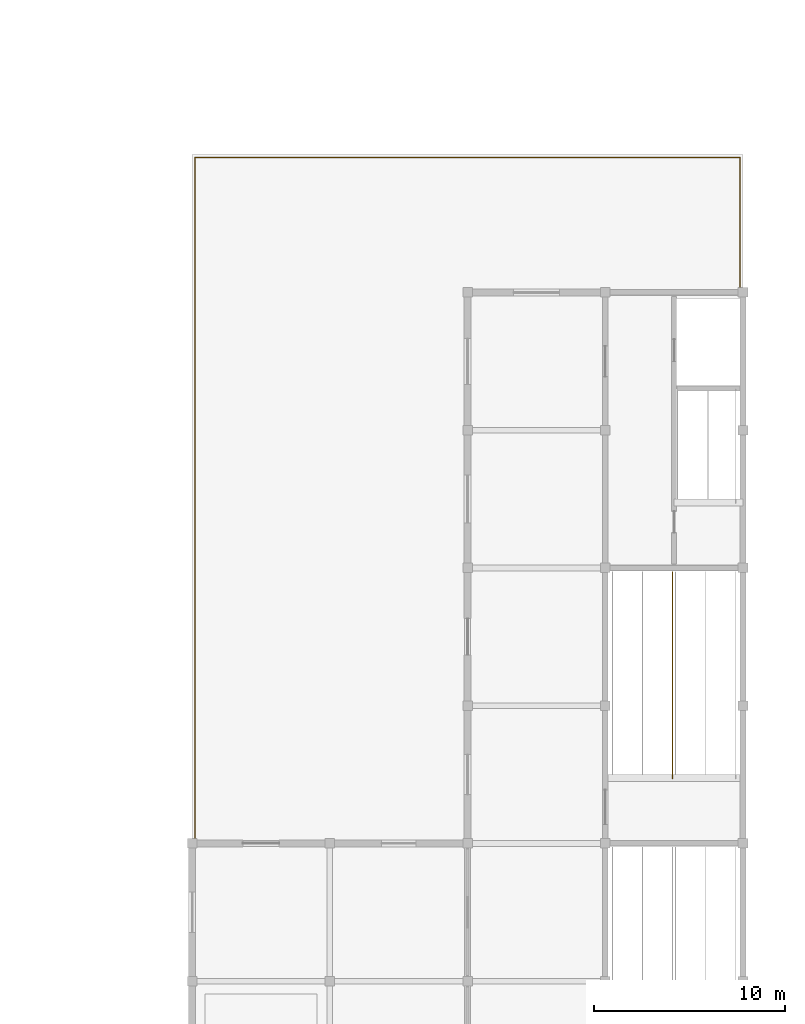
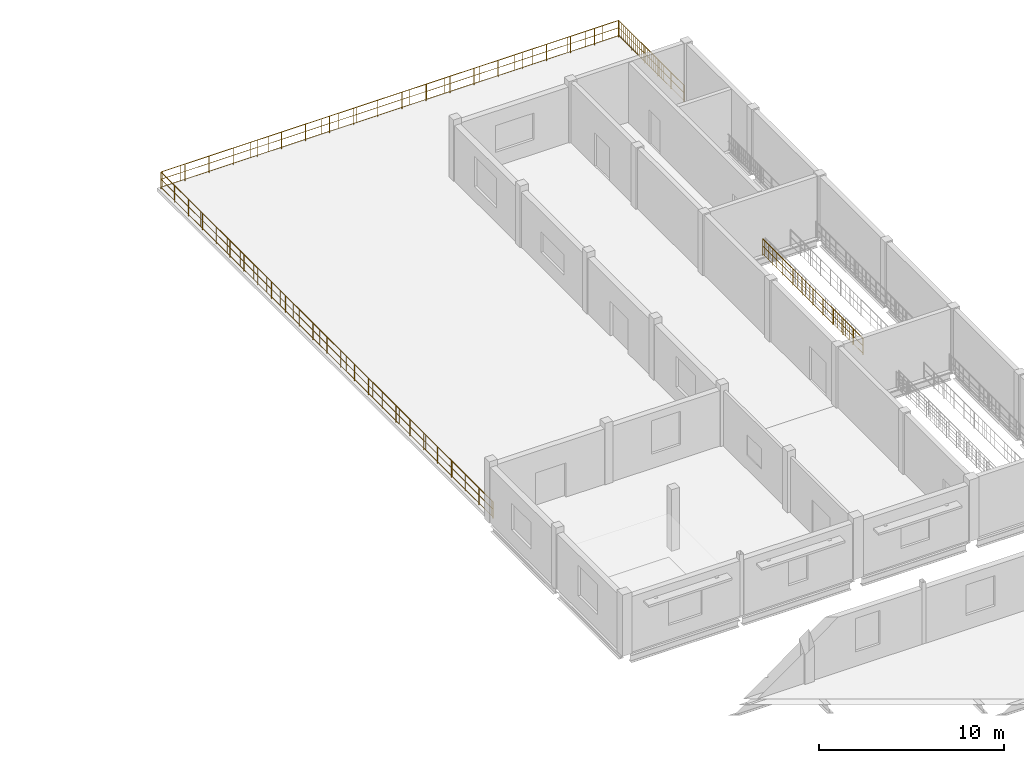
# One storey, part 49 of 51: 2 railings.
"""IFC4 building model written with IfcOpenShell, lengths in metres."""

from ifc_helpers import new_model, si_unit, direction, frame, origin, origin_2d, place, context, subcontext, project, spatial, circle, extrude, material, type_object, element, save


model = new_model("IFC4")

# Units and contexts
model_context = context("Model", 3, precision=1e-05, world=origin(), true_north=direction((0.0, 1.0)))
body_context = subcontext(model_context, "Body", "Model", "MODEL_VIEW")
ifc_project = project(units=[si_unit("LENGTHUNIT", "METRE"), si_unit("AREAUNIT", "SQUARE_METRE"), si_unit("VOLUMEUNIT", "CUBIC_METRE"), si_unit("PLANEANGLEUNIT", "RADIAN"), si_unit("MASSUNIT", "GRAM", prefix="KILO")], contexts=[model_context])

# Site, building, storey
site_placement = place(None, origin())
site = spatial("IfcSite", under=ifc_project, at=site_placement, CompositionType="ELEMENT")
building_placement = place(site_placement, origin())
building = spatial("IfcBuilding", under=site, at=building_placement, Name="Vesperath Aquatics Centre", CompositionType="ELEMENT")
storey_placement = place(building_placement, frame((0.0, 0.0, 15.0)))
storey = spatial("IfcBuildingStorey", under=building, at=storey_placement, Name="L03", CompositionType="ELEMENT", Elevation=15.0)

# Railings
ifc_material_1 = material(Name="Patinated bronze Art Nouveau balustrade", Category="aluminium")
railing_type_1 = type_object("IfcRailingType", Name="RL-BAL01", PredefinedType="BALUSTRADE", material=ifc_material_1)
railing_1_placement = place(storey_placement, frame((144.14990234375, 64.85009765625, 0.0)))
element("IfcRailing", 1, at=railing_1_placement, inside=storey, type_object=railing_type_1, Name="Planted Roof Garden Perimeter Balustrade GR01 L03", PredefinedType="BALUSTRADE", context=body_context, shape_type="SweptSolid", body=[
    extrude(circle(Radius=0.02392578125, at=origin_2d()), frame((0.0, 0.0, 1.09619140625), z_axis=(0.0, 1.0, 0.0), x_axis=(-1.0, 0.0, 0.0)), (0.0, 0.0, 1.0), 35.7998046875),
    extrude(circle(Radius=0.01611328125, at=origin_2d()), frame((0.0, 0.0, 0.10009765625), z_axis=(0.0, 1.0, 0.0), x_axis=(-1.0, 0.0, 0.0)), (0.0, 0.0, 1.0), 35.7998046875),
    extrude(circle(Radius=0.01611328125, at=origin_2d()), frame((0.0, 0.0, 0.615966796875), z_axis=(0.0, 1.0, 0.0), x_axis=(-1.0, 0.0, 0.0)), (0.0, 0.0, 1.0), 35.7998046875),
    extrude(circle(Radius=0.009033203125, at=origin_2d()), frame((0.0, 0.10986328125, 0.10009765625)), (0.0, 0.0, 1.0), 0.971923828125),
    extrude(circle(Radius=0.009033203125, at=origin_2d()), frame((0.0, 1.537353515625, 0.10009765625)), (0.0, 0.0, 1.0), 0.971923828125),
    extrude(circle(Radius=0.009033203125, at=origin_2d()), frame((0.0, 2.965087890625, 0.10009765625)), (0.0, 0.0, 1.0), 0.971923828125),
    extrude(circle(Radius=0.009033203125, at=origin_2d()), frame((0.0, 4.392578125, 0.10009765625)), (0.0, 0.0, 1.0), 0.971923828125),
    extrude(circle(Radius=0.009033203125, at=origin_2d()), frame((0.0, 5.8203125, 0.10009765625)), (0.0, 0.0, 1.0), 0.971923828125),
    extrude(circle(Radius=0.009033203125, at=origin_2d()), frame((0.0, 7.247802734375, 0.10009765625)), (0.0, 0.0, 1.0), 0.971923828125),
    extrude(circle(Radius=0.009033203125, at=origin_2d()), frame((0.0, 8.67529296875, 0.10009765625)), (0.0, 0.0, 1.0), 0.971923828125),
    extrude(circle(Radius=0.009033203125, at=origin_2d()), frame((0.0, 10.10302734375, 0.10009765625)), (0.0, 0.0, 1.0), 0.971923828125),
    extrude(circle(Radius=0.009033203125, at=origin_2d()), frame((0.0, 11.530517578125, 0.10009765625)), (0.0, 0.0, 1.0), 0.971923828125),
    extrude(circle(Radius=0.009033203125, at=origin_2d()), frame((0.0, 12.958251953125, 0.10009765625)), (0.0, 0.0, 1.0), 0.971923828125),
    extrude(circle(Radius=0.009033203125, at=origin_2d()), frame((0.0, 14.3857421875, 0.10009765625)), (0.0, 0.0, 1.0), 0.971923828125),
    extrude(circle(Radius=0.009033203125, at=origin_2d()), frame((0.0, 15.8134765625, 0.10009765625)), (0.0, 0.0, 1.0), 0.971923828125),
    extrude(circle(Radius=0.009033203125, at=origin_2d()), frame((0.0, 17.240966796875, 0.10009765625)), (0.0, 0.0, 1.0), 0.971923828125),
    extrude(circle(Radius=0.009033203125, at=origin_2d()), frame((0.0, 18.668701171875, 0.10009765625)), (0.0, 0.0, 1.0), 0.971923828125),
    extrude(circle(Radius=0.009033203125, at=origin_2d()), frame((0.0, 20.09619140625, 0.10009765625)), (0.0, 0.0, 1.0), 0.971923828125),
    extrude(circle(Radius=0.009033203125, at=origin_2d()), frame((0.0, 21.52392578125, 0.10009765625)), (0.0, 0.0, 1.0), 0.971923828125),
    extrude(circle(Radius=0.009033203125, at=origin_2d()), frame((0.0, 22.951416015625, 0.10009765625)), (0.0, 0.0, 1.0), 0.971923828125),
    extrude(circle(Radius=0.009033203125, at=origin_2d()), frame((0.0, 24.37890625, 0.10009765625)), (0.0, 0.0, 1.0), 0.971923828125),
    extrude(circle(Radius=0.009033203125, at=origin_2d()), frame((0.0, 25.806640625, 0.10009765625)), (0.0, 0.0, 1.0), 0.971923828125),
    extrude(circle(Radius=0.009033203125, at=origin_2d()), frame((0.0, 27.234130859375, 0.10009765625)), (0.0, 0.0, 1.0), 0.971923828125),
    extrude(circle(Radius=0.009033203125, at=origin_2d()), frame((0.0, 28.661865234375, 0.10009765625)), (0.0, 0.0, 1.0), 0.971923828125),
    extrude(circle(Radius=0.009033203125, at=origin_2d()), frame((0.0, 30.08935546875, 0.10009765625)), (0.0, 0.0, 1.0), 0.971923828125),
    extrude(circle(Radius=0.009033203125, at=origin_2d()), frame((0.0, 31.51708984375, 0.10009765625)), (0.0, 0.0, 1.0), 0.971923828125),
    extrude(circle(Radius=0.009033203125, at=origin_2d()), frame((0.0, 32.944580078125, 0.10009765625)), (0.0, 0.0, 1.0), 0.971923828125),
    extrude(circle(Radius=0.009033203125, at=origin_2d()), frame((0.0, 34.372314453125, 0.10009765625)), (0.0, 0.0, 1.0), 0.971923828125),
    extrude(circle(Radius=0.02392578125, at=origin_2d()), frame((0.0, 35.7998046875, 1.09619140625), z_axis=(1.0, 0.0, 0.0), x_axis=(0.0, 1.0, 0.0)), (0.0, 0.0, 1.0), 28.5),
    extrude(circle(Radius=0.01611328125, at=origin_2d()), frame((0.0, 35.7998046875, 0.10009765625), z_axis=(1.0, 0.0, 0.0), x_axis=(0.0, 1.0, 0.0)), (0.0, 0.0, 1.0), 28.5),
    extrude(circle(Radius=0.01611328125, at=origin_2d()), frame((0.0, 35.7998046875, 0.615966796875), z_axis=(1.0, 0.0, 0.0), x_axis=(0.0, 1.0, 0.0)), (0.0, 0.0, 1.0), 28.5),
    extrude(circle(Radius=0.009033203125, at=origin_2d()), frame((0.109619140625, 35.7998046875, 0.10009765625)), (0.0, 0.0, 1.0), 0.971923828125),
    extrude(circle(Radius=0.009033203125, at=origin_2d()), frame((1.205810546875, 35.7998046875, 0.10009765625)), (0.0, 0.0, 1.0), 0.971923828125),
    extrude(circle(Radius=0.009033203125, at=origin_2d()), frame((2.302001953125, 35.7998046875, 0.10009765625)), (0.0, 0.0, 1.0), 0.971923828125),
    extrude(circle(Radius=0.009033203125, at=origin_2d()), frame((3.398193359375, 35.7998046875, 0.10009765625)), (0.0, 0.0, 1.0), 0.971923828125),
    extrude(circle(Radius=0.009033203125, at=origin_2d()), frame((4.494140625, 35.7998046875, 0.10009765625)), (0.0, 0.0, 1.0), 0.971923828125),
    extrude(circle(Radius=0.009033203125, at=origin_2d()), frame((5.59033203125, 35.7998046875, 0.10009765625)), (0.0, 0.0, 1.0), 0.971923828125),
    extrude(circle(Radius=0.009033203125, at=origin_2d()), frame((6.6865234375, 35.7998046875, 0.10009765625)), (0.0, 0.0, 1.0), 0.971923828125),
    extrude(circle(Radius=0.009033203125, at=origin_2d()), frame((7.78271484375, 35.7998046875, 0.10009765625)), (0.0, 0.0, 1.0), 0.971923828125),
    extrude(circle(Radius=0.009033203125, at=origin_2d()), frame((8.87890625, 35.7998046875, 0.10009765625)), (0.0, 0.0, 1.0), 0.971923828125),
    extrude(circle(Radius=0.009033203125, at=origin_2d()), frame((9.97509765625, 35.7998046875, 0.10009765625)), (0.0, 0.0, 1.0), 0.971923828125),
    extrude(circle(Radius=0.009033203125, at=origin_2d()), frame((11.071044921875, 35.7998046875, 0.10009765625)), (0.0, 0.0, 1.0), 0.971923828125),
    extrude(circle(Radius=0.009033203125, at=origin_2d()), frame((12.167236328125, 35.7998046875, 0.10009765625)), (0.0, 0.0, 1.0), 0.971923828125),
    extrude(circle(Radius=0.009033203125, at=origin_2d()), frame((13.263427734375, 35.7998046875, 0.10009765625)), (0.0, 0.0, 1.0), 0.971923828125),
    extrude(circle(Radius=0.009033203125, at=origin_2d()), frame((14.359619140625, 35.7998046875, 0.10009765625)), (0.0, 0.0, 1.0), 0.971923828125),
    extrude(circle(Radius=0.009033203125, at=origin_2d()), frame((15.455810546875, 35.7998046875, 0.10009765625)), (0.0, 0.0, 1.0), 0.971923828125),
    extrude(circle(Radius=0.009033203125, at=origin_2d()), frame((16.552001953125, 35.7998046875, 0.10009765625)), (0.0, 0.0, 1.0), 0.971923828125),
    extrude(circle(Radius=0.009033203125, at=origin_2d()), frame((17.648193359375, 35.7998046875, 0.10009765625)), (0.0, 0.0, 1.0), 0.971923828125),
    extrude(circle(Radius=0.009033203125, at=origin_2d()), frame((18.744140625, 35.7998046875, 0.10009765625)), (0.0, 0.0, 1.0), 0.971923828125),
    extrude(circle(Radius=0.009033203125, at=origin_2d()), frame((19.84033203125, 35.7998046875, 0.10009765625)), (0.0, 0.0, 1.0), 0.971923828125),
    extrude(circle(Radius=0.009033203125, at=origin_2d()), frame((20.9365234375, 35.7998046875, 0.10009765625)), (0.0, 0.0, 1.0), 0.971923828125),
    extrude(circle(Radius=0.009033203125, at=origin_2d()), frame((22.03271484375, 35.7998046875, 0.10009765625)), (0.0, 0.0, 1.0), 0.971923828125),
    extrude(circle(Radius=0.009033203125, at=origin_2d()), frame((23.12890625, 35.7998046875, 0.10009765625)), (0.0, 0.0, 1.0), 0.971923828125),
    extrude(circle(Radius=0.009033203125, at=origin_2d()), frame((24.22509765625, 35.7998046875, 0.10009765625)), (0.0, 0.0, 1.0), 0.971923828125),
    extrude(circle(Radius=0.009033203125, at=origin_2d()), frame((25.321044921875, 35.7998046875, 0.10009765625)), (0.0, 0.0, 1.0), 0.971923828125),
    extrude(circle(Radius=0.009033203125, at=origin_2d()), frame((26.417236328125, 35.7998046875, 0.10009765625)), (0.0, 0.0, 1.0), 0.971923828125),
    extrude(circle(Radius=0.009033203125, at=origin_2d()), frame((27.513427734375, 35.7998046875, 0.10009765625)), (0.0, 0.0, 1.0), 0.971923828125),
    extrude(circle(Radius=0.02392578125, at=origin_2d()), frame((28.5, 35.7998046875, 1.09619140625), z_axis=(0.0, -1.0, 0.0), x_axis=(1.0, 0.0, 0.0)), (0.0, 0.0, 1.0), 7.0498046875),
    extrude(circle(Radius=0.01611328125, at=origin_2d()), frame((28.5, 35.7998046875, 0.10009765625), z_axis=(0.0, -1.0, 0.0), x_axis=(1.0, 0.0, 0.0)), (0.0, 0.0, 1.0), 7.0498046875),
    extrude(circle(Radius=0.01611328125, at=origin_2d()), frame((28.5, 35.7998046875, 0.615966796875), z_axis=(0.0, -1.0, 0.0), x_axis=(1.0, 0.0, 0.0)), (0.0, 0.0, 1.0), 7.0498046875),
    extrude(circle(Radius=0.009033203125, at=origin_2d()), frame((28.5, 35.69140625, 0.10009765625)), (0.0, 0.0, 1.0), 0.971923828125),
    extrude(circle(Radius=0.009033203125, at=origin_2d()), frame((28.5, 35.474365234375, 0.10009765625)), (0.0, 0.0, 1.0), 0.971923828125),
    extrude(circle(Radius=0.009033203125, at=origin_2d()), frame((28.5, 35.257568359375, 0.10009765625)), (0.0, 0.0, 1.0), 0.971923828125),
    extrude(circle(Radius=0.009033203125, at=origin_2d()), frame((28.5, 35.04052734375, 0.10009765625)), (0.0, 0.0, 1.0), 0.971923828125),
    extrude(circle(Radius=0.009033203125, at=origin_2d()), frame((28.5, 34.82373046875, 0.10009765625)), (0.0, 0.0, 1.0), 0.971923828125),
    extrude(circle(Radius=0.009033203125, at=origin_2d()), frame((28.5, 34.606689453125, 0.10009765625)), (0.0, 0.0, 1.0), 0.971923828125),
    extrude(circle(Radius=0.009033203125, at=origin_2d()), frame((28.5, 34.389892578125, 0.10009765625)), (0.0, 0.0, 1.0), 0.971923828125),
    extrude(circle(Radius=0.009033203125, at=origin_2d()), frame((28.5, 34.1728515625, 0.10009765625)), (0.0, 0.0, 1.0), 0.971923828125),
    extrude(circle(Radius=0.009033203125, at=origin_2d()), frame((28.5, 33.9560546875, 0.10009765625)), (0.0, 0.0, 1.0), 0.971923828125),
    extrude(circle(Radius=0.009033203125, at=origin_2d()), frame((28.5, 33.739013671875, 0.10009765625)), (0.0, 0.0, 1.0), 0.971923828125),
    extrude(circle(Radius=0.009033203125, at=origin_2d()), frame((28.5, 33.522216796875, 0.10009765625)), (0.0, 0.0, 1.0), 0.971923828125),
    extrude(circle(Radius=0.009033203125, at=origin_2d()), frame((28.5, 33.30517578125, 0.10009765625)), (0.0, 0.0, 1.0), 0.971923828125),
    extrude(circle(Radius=0.009033203125, at=origin_2d()), frame((28.5, 33.08837890625, 0.10009765625)), (0.0, 0.0, 1.0), 0.971923828125),
    extrude(circle(Radius=0.009033203125, at=origin_2d()), frame((28.5, 32.871337890625, 0.10009765625)), (0.0, 0.0, 1.0), 0.971923828125),
    extrude(circle(Radius=0.009033203125, at=origin_2d()), frame((28.5, 32.654541015625, 0.10009765625)), (0.0, 0.0, 1.0), 0.971923828125),
    extrude(circle(Radius=0.009033203125, at=origin_2d()), frame((28.5, 32.4375, 0.10009765625)), (0.0, 0.0, 1.0), 0.971923828125),
    extrude(circle(Radius=0.009033203125, at=origin_2d()), frame((28.5, 32.220703125, 0.10009765625)), (0.0, 0.0, 1.0), 0.971923828125),
    extrude(circle(Radius=0.009033203125, at=origin_2d()), frame((28.5, 32.003662109375, 0.10009765625)), (0.0, 0.0, 1.0), 0.971923828125),
    extrude(circle(Radius=0.009033203125, at=origin_2d()), frame((28.5, 31.786865234375, 0.10009765625)), (0.0, 0.0, 1.0), 0.971923828125),
    extrude(circle(Radius=0.009033203125, at=origin_2d()), frame((28.5, 31.56982421875, 0.10009765625)), (0.0, 0.0, 1.0), 0.971923828125),
    extrude(circle(Radius=0.009033203125, at=origin_2d()), frame((28.5, 31.35302734375, 0.10009765625)), (0.0, 0.0, 1.0), 0.971923828125),
    extrude(circle(Radius=0.009033203125, at=origin_2d()), frame((28.5, 31.135986328125, 0.10009765625)), (0.0, 0.0, 1.0), 0.971923828125),
    extrude(circle(Radius=0.009033203125, at=origin_2d()), frame((28.5, 30.919189453125, 0.10009765625)), (0.0, 0.0, 1.0), 0.971923828125),
    extrude(circle(Radius=0.009033203125, at=origin_2d()), frame((28.5, 30.7021484375, 0.10009765625)), (0.0, 0.0, 1.0), 0.971923828125),
    extrude(circle(Radius=0.009033203125, at=origin_2d()), frame((28.5, 30.4853515625, 0.10009765625)), (0.0, 0.0, 1.0), 0.971923828125),
    extrude(circle(Radius=0.009033203125, at=origin_2d()), frame((28.5, 30.268310546875, 0.10009765625)), (0.0, 0.0, 1.0), 0.971923828125),
    extrude(circle(Radius=0.009033203125, at=origin_2d()), frame((28.5, 30.051513671875, 0.10009765625)), (0.0, 0.0, 1.0), 0.971923828125),
    extrude(circle(Radius=0.009033203125, at=origin_2d()), frame((28.5, 29.83447265625, 0.10009765625)), (0.0, 0.0, 1.0), 0.971923828125),
    extrude(circle(Radius=0.009033203125, at=origin_2d()), frame((28.5, 29.61767578125, 0.10009765625)), (0.0, 0.0, 1.0), 0.971923828125),
    extrude(circle(Radius=0.009033203125, at=origin_2d()), frame((28.5, 29.400634765625, 0.10009765625)), (0.0, 0.0, 1.0), 0.971923828125),
    extrude(circle(Radius=0.009033203125, at=origin_2d()), frame((28.5, 29.183837890625, 0.10009765625)), (0.0, 0.0, 1.0), 0.971923828125),
    extrude(circle(Radius=0.009033203125, at=origin_2d()), frame((28.5, 28.966796875, 0.10009765625)), (0.0, 0.0, 1.0), 0.971923828125),
    extrude(circle(Radius=0.02197265625, at=origin_2d()), origin(), (0.0, 0.0, 1.0), 1.09619140625),
    extrude(circle(Radius=0.02197265625, at=origin_2d()), frame((0.0, 1.49169921875, 0.0)), (0.0, 0.0, 1.0), 1.09619140625),
    extrude(circle(Radius=0.02197265625, at=origin_2d()), frame((0.0, 2.9833984375, 0.0)), (0.0, 0.0, 1.0), 1.09619140625),
    extrude(circle(Radius=0.02197265625, at=origin_2d()), frame((0.0, 4.47509765625, 0.0)), (0.0, 0.0, 1.0), 1.09619140625),
    extrude(circle(Radius=0.02197265625, at=origin_2d()), frame((0.0, 5.966552734375, 0.0)), (0.0, 0.0, 1.0), 1.09619140625),
    extrude(circle(Radius=0.02197265625, at=origin_2d()), frame((0.0, 7.458251953125, 0.0)), (0.0, 0.0, 1.0), 1.09619140625),
    extrude(circle(Radius=0.02197265625, at=origin_2d()), frame((0.0, 8.949951171875, 0.0)), (0.0, 0.0, 1.0), 1.09619140625),
    extrude(circle(Radius=0.02197265625, at=origin_2d()), frame((0.0, 10.441650390625, 0.0)), (0.0, 0.0, 1.0), 1.09619140625),
    extrude(circle(Radius=0.02197265625, at=origin_2d()), frame((0.0, 11.933349609375, 0.0)), (0.0, 0.0, 1.0), 1.09619140625),
    extrude(circle(Radius=0.02197265625, at=origin_2d()), frame((0.0, 13.4248046875, 0.0)), (0.0, 0.0, 1.0), 1.09619140625),
    extrude(circle(Radius=0.02197265625, at=origin_2d()), frame((0.0, 14.91650390625, 0.0)), (0.0, 0.0, 1.0), 1.09619140625),
    extrude(circle(Radius=0.02197265625, at=origin_2d()), frame((0.0, 16.408203125, 0.0)), (0.0, 0.0, 1.0), 1.09619140625),
    extrude(circle(Radius=0.02197265625, at=origin_2d()), frame((0.0, 17.89990234375, 0.0)), (0.0, 0.0, 1.0), 1.09619140625),
    extrude(circle(Radius=0.02197265625, at=origin_2d()), frame((0.0, 19.3916015625, 0.0)), (0.0, 0.0, 1.0), 1.09619140625),
    extrude(circle(Radius=0.02197265625, at=origin_2d()), frame((0.0, 20.88330078125, 0.0)), (0.0, 0.0, 1.0), 1.09619140625),
    extrude(circle(Radius=0.02197265625, at=origin_2d()), frame((0.0, 22.375, 0.0)), (0.0, 0.0, 1.0), 1.09619140625),
    extrude(circle(Radius=0.02197265625, at=origin_2d()), frame((0.0, 23.866455078125, 0.0)), (0.0, 0.0, 1.0), 1.09619140625),
    extrude(circle(Radius=0.02197265625, at=origin_2d()), frame((0.0, 25.358154296875, 0.0)), (0.0, 0.0, 1.0), 1.09619140625),
    extrude(circle(Radius=0.02197265625, at=origin_2d()), frame((0.0, 26.849853515625, 0.0)), (0.0, 0.0, 1.0), 1.09619140625),
    extrude(circle(Radius=0.02197265625, at=origin_2d()), frame((0.0, 28.341552734375, 0.0)), (0.0, 0.0, 1.0), 1.09619140625),
    extrude(circle(Radius=0.02197265625, at=origin_2d()), frame((0.0, 29.833251953125, 0.0)), (0.0, 0.0, 1.0), 1.09619140625),
    extrude(circle(Radius=0.02197265625, at=origin_2d()), frame((0.0, 31.32470703125, 0.0)), (0.0, 0.0, 1.0), 1.09619140625),
    extrude(circle(Radius=0.02197265625, at=origin_2d()), frame((0.0, 32.81640625, 0.0)), (0.0, 0.0, 1.0), 1.09619140625),
    extrude(circle(Radius=0.02197265625, at=origin_2d()), frame((0.0, 34.30810546875, 0.0)), (0.0, 0.0, 1.0), 1.09619140625),
    extrude(circle(Radius=0.02197265625, at=origin_2d()), frame((0.0, 35.7998046875, 0.0)), (0.0, 0.0, 1.0), 1.09619140625),
    extrude(circle(Radius=0.02197265625, at=origin_2d()), frame((1.5, 35.7998046875, 0.0)), (0.0, 0.0, 1.0), 1.09619140625),
    extrude(circle(Radius=0.02197265625, at=origin_2d()), frame((3.0, 35.7998046875, 0.0)), (0.0, 0.0, 1.0), 1.09619140625),
    extrude(circle(Radius=0.02197265625, at=origin_2d()), frame((4.5, 35.7998046875, 0.0)), (0.0, 0.0, 1.0), 1.09619140625),
    extrude(circle(Radius=0.02197265625, at=origin_2d()), frame((6.0, 35.7998046875, 0.0)), (0.0, 0.0, 1.0), 1.09619140625),
    extrude(circle(Radius=0.02197265625, at=origin_2d()), frame((7.5, 35.7998046875, 0.0)), (0.0, 0.0, 1.0), 1.09619140625),
    extrude(circle(Radius=0.02197265625, at=origin_2d()), frame((9.0, 35.7998046875, 0.0)), (0.0, 0.0, 1.0), 1.09619140625),
    extrude(circle(Radius=0.02197265625, at=origin_2d()), frame((10.5, 35.7998046875, 0.0)), (0.0, 0.0, 1.0), 1.09619140625),
    extrude(circle(Radius=0.02197265625, at=origin_2d()), frame((12.0, 35.7998046875, 0.0)), (0.0, 0.0, 1.0), 1.09619140625),
    extrude(circle(Radius=0.02197265625, at=origin_2d()), frame((13.5, 35.7998046875, 0.0)), (0.0, 0.0, 1.0), 1.09619140625),
    extrude(circle(Radius=0.02197265625, at=origin_2d()), frame((15.0, 35.7998046875, 0.0)), (0.0, 0.0, 1.0), 1.09619140625),
    extrude(circle(Radius=0.02197265625, at=origin_2d()), frame((16.5, 35.7998046875, 0.0)), (0.0, 0.0, 1.0), 1.09619140625),
    extrude(circle(Radius=0.02197265625, at=origin_2d()), frame((18.0, 35.7998046875, 0.0)), (0.0, 0.0, 1.0), 1.09619140625),
    extrude(circle(Radius=0.02197265625, at=origin_2d()), frame((19.5, 35.7998046875, 0.0)), (0.0, 0.0, 1.0), 1.09619140625),
    extrude(circle(Radius=0.02197265625, at=origin_2d()), frame((21.0, 35.7998046875, 0.0)), (0.0, 0.0, 1.0), 1.09619140625),
    extrude(circle(Radius=0.02197265625, at=origin_2d()), frame((22.5, 35.7998046875, 0.0)), (0.0, 0.0, 1.0), 1.09619140625),
    extrude(circle(Radius=0.02197265625, at=origin_2d()), frame((24.0, 35.7998046875, 0.0)), (0.0, 0.0, 1.0), 1.09619140625),
    extrude(circle(Radius=0.02197265625, at=origin_2d()), frame((25.5, 35.7998046875, 0.0)), (0.0, 0.0, 1.0), 1.09619140625),
    extrude(circle(Radius=0.02197265625, at=origin_2d()), frame((27.0, 35.7998046875, 0.0)), (0.0, 0.0, 1.0), 1.09619140625),
    extrude(circle(Radius=0.02197265625, at=origin_2d()), frame((28.5, 35.7998046875, 0.0)), (0.0, 0.0, 1.0), 1.09619140625),
    extrude(circle(Radius=0.02197265625, at=origin_2d()), frame((28.5, 34.389892578125, 0.0)), (0.0, 0.0, 1.0), 1.09619140625),
    extrude(circle(Radius=0.02197265625, at=origin_2d()), frame((28.5, 32.97998046875, 0.0)), (0.0, 0.0, 1.0), 1.09619140625),
    extrude(circle(Radius=0.02197265625, at=origin_2d()), frame((28.5, 31.56982421875, 0.0)), (0.0, 0.0, 1.0), 1.09619140625),
    extrude(circle(Radius=0.02197265625, at=origin_2d()), frame((28.5, 30.159912109375, 0.0)), (0.0, 0.0, 1.0), 1.09619140625),
    extrude(circle(Radius=0.02197265625, at=origin_2d()), frame((28.5, 28.75, 0.0)), (0.0, 0.0, 1.0), 1.09619140625),
])
ifc_material_2 = material(Name="Powder-coated galvanized steel safety guard", Category="steel")
railing_type_2 = type_object("IfcRailingType", Name="RL-GRD01", PredefinedType="GUARDRAIL", material=ifc_material_2)
railing_2_placement = place(storey_placement, frame((169.1201171875, 68.179931640625, 0.0)))
element("IfcRailing", 2, at=railing_2_placement, inside=storey, type_object=railing_type_2, Name="Stair ST13A Top Side Guard GR02 L03", PredefinedType="GUARDRAIL", context=body_context, shape_type="SweptSolid", body=[
    extrude(circle(Radius=0.02392578125, at=origin_2d()), frame((0.0, 0.0, 1.0859375), z_axis=(0.0, 1.0, 0.0), x_axis=(-1.0, 0.0, 0.0)), (0.0, 0.0, 1.0), 10.820068359375),
    extrude(circle(Radius=0.01611328125, at=origin_2d()), frame((0.0, 0.0, 0.10009765625), z_axis=(0.0, 1.0, 0.0), x_axis=(-1.0, 0.0, 0.0)), (0.0, 0.0, 1.0), 10.820068359375),
    extrude(circle(Radius=0.01611328125, at=origin_2d()), frame((0.0, 0.0, 0.610595703125), z_axis=(0.0, 1.0, 0.0), x_axis=(-1.0, 0.0, 0.0)), (0.0, 0.0, 1.0), 10.820068359375),
    extrude(circle(Radius=0.009033203125, at=origin_2d()), frame((0.0, 0.109375, 0.10009765625)), (0.0, 0.0, 1.0), 0.9619140625),
    extrude(circle(Radius=0.009033203125, at=origin_2d()), frame((0.0, 0.54638671875, 0.10009765625)), (0.0, 0.0, 1.0), 0.9619140625),
    extrude(circle(Radius=0.009033203125, at=origin_2d()), frame((0.0, 0.983642578125, 0.10009765625)), (0.0, 0.0, 1.0), 0.9619140625),
    extrude(circle(Radius=0.009033203125, at=origin_2d()), frame((0.0, 1.4208984375, 0.10009765625)), (0.0, 0.0, 1.0), 0.9619140625),
    extrude(circle(Radius=0.009033203125, at=origin_2d()), frame((0.0, 1.85791015625, 0.10009765625)), (0.0, 0.0, 1.0), 0.9619140625),
    extrude(circle(Radius=0.009033203125, at=origin_2d()), frame((0.0, 2.295166015625, 0.10009765625)), (0.0, 0.0, 1.0), 0.9619140625),
    extrude(circle(Radius=0.009033203125, at=origin_2d()), frame((0.0, 2.732421875, 0.10009765625)), (0.0, 0.0, 1.0), 0.9619140625),
    extrude(circle(Radius=0.009033203125, at=origin_2d()), frame((0.0, 3.16943359375, 0.10009765625)), (0.0, 0.0, 1.0), 0.9619140625),
    extrude(circle(Radius=0.009033203125, at=origin_2d()), frame((0.0, 3.606689453125, 0.10009765625)), (0.0, 0.0, 1.0), 0.9619140625),
    extrude(circle(Radius=0.009033203125, at=origin_2d()), frame((0.0, 4.0439453125, 0.10009765625)), (0.0, 0.0, 1.0), 0.9619140625),
    extrude(circle(Radius=0.009033203125, at=origin_2d()), frame((0.0, 4.48095703125, 0.10009765625)), (0.0, 0.0, 1.0), 0.9619140625),
    extrude(circle(Radius=0.009033203125, at=origin_2d()), frame((0.0, 4.918212890625, 0.10009765625)), (0.0, 0.0, 1.0), 0.9619140625),
    extrude(circle(Radius=0.009033203125, at=origin_2d()), frame((0.0, 5.35546875, 0.10009765625)), (0.0, 0.0, 1.0), 0.9619140625),
    extrude(circle(Radius=0.009033203125, at=origin_2d()), frame((0.0, 5.79248046875, 0.10009765625)), (0.0, 0.0, 1.0), 0.9619140625),
    extrude(circle(Radius=0.009033203125, at=origin_2d()), frame((0.0, 6.229736328125, 0.10009765625)), (0.0, 0.0, 1.0), 0.9619140625),
    extrude(circle(Radius=0.009033203125, at=origin_2d()), frame((0.0, 6.6669921875, 0.10009765625)), (0.0, 0.0, 1.0), 0.9619140625),
    extrude(circle(Radius=0.009033203125, at=origin_2d()), frame((0.0, 7.10400390625, 0.10009765625)), (0.0, 0.0, 1.0), 0.9619140625),
    extrude(circle(Radius=0.009033203125, at=origin_2d()), frame((0.0, 7.541259765625, 0.10009765625)), (0.0, 0.0, 1.0), 0.9619140625),
    extrude(circle(Radius=0.009033203125, at=origin_2d()), frame((0.0, 7.978515625, 0.10009765625)), (0.0, 0.0, 1.0), 0.9619140625),
    extrude(circle(Radius=0.009033203125, at=origin_2d()), frame((0.0, 8.41552734375, 0.10009765625)), (0.0, 0.0, 1.0), 0.9619140625),
    extrude(circle(Radius=0.009033203125, at=origin_2d()), frame((0.0, 8.852783203125, 0.10009765625)), (0.0, 0.0, 1.0), 0.9619140625),
    extrude(circle(Radius=0.009033203125, at=origin_2d()), frame((0.0, 9.2900390625, 0.10009765625)), (0.0, 0.0, 1.0), 0.9619140625),
    extrude(circle(Radius=0.009033203125, at=origin_2d()), frame((0.0, 9.72705078125, 0.10009765625)), (0.0, 0.0, 1.0), 0.9619140625),
    extrude(circle(Radius=0.009033203125, at=origin_2d()), frame((0.0, 10.164306640625, 0.10009765625)), (0.0, 0.0, 1.0), 0.9619140625),
    extrude(circle(Radius=0.009033203125, at=origin_2d()), frame((0.0, 10.6015625, 0.10009765625)), (0.0, 0.0, 1.0), 0.9619140625),
    extrude(circle(Radius=0.02197265625, at=origin_2d()), origin(), (0.0, 0.0, 1.0), 1.0859375),
    extrude(circle(Radius=0.02197265625, at=origin_2d()), frame((0.0, 1.08203125, 0.0)), (0.0, 0.0, 1.0), 1.0859375),
    extrude(circle(Radius=0.02197265625, at=origin_2d()), frame((0.0, 2.1640625, 0.0)), (0.0, 0.0, 1.0), 1.0859375),
    extrude(circle(Radius=0.02197265625, at=origin_2d()), frame((0.0, 3.24609375, 0.0)), (0.0, 0.0, 1.0), 1.0859375),
    extrude(circle(Radius=0.02197265625, at=origin_2d()), frame((0.0, 4.328125, 0.0)), (0.0, 0.0, 1.0), 1.0859375),
    extrude(circle(Radius=0.02197265625, at=origin_2d()), frame((0.0, 5.41015625, 0.0)), (0.0, 0.0, 1.0), 1.0859375),
    extrude(circle(Radius=0.02197265625, at=origin_2d()), frame((0.0, 6.491943359375, 0.0)), (0.0, 0.0, 1.0), 1.0859375),
    extrude(circle(Radius=0.02197265625, at=origin_2d()), frame((0.0, 7.573974609375, 0.0)), (0.0, 0.0, 1.0), 1.0859375),
    extrude(circle(Radius=0.02197265625, at=origin_2d()), frame((0.0, 8.656005859375, 0.0)), (0.0, 0.0, 1.0), 1.0859375),
    extrude(circle(Radius=0.02197265625, at=origin_2d()), frame((0.0, 9.738037109375, 0.0)), (0.0, 0.0, 1.0), 1.0859375),
    extrude(circle(Radius=0.02197265625, at=origin_2d()), frame((0.0, 10.820068359375, 0.0)), (0.0, 0.0, 1.0), 1.0859375),
])

save(model, "model.ifc")
